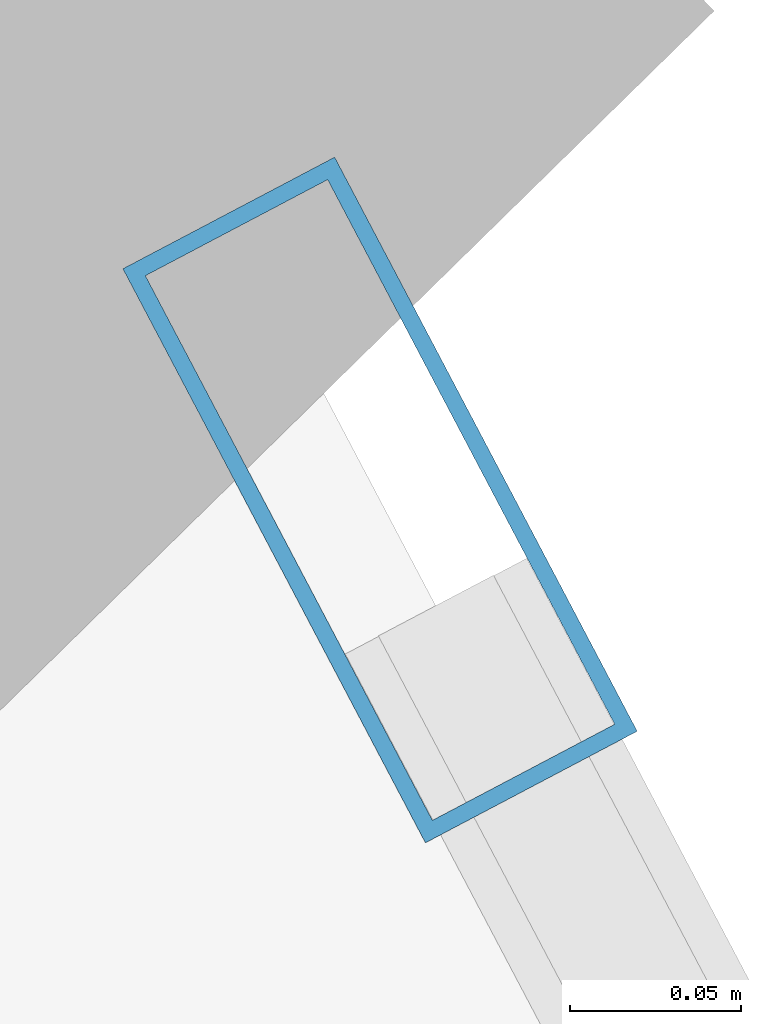
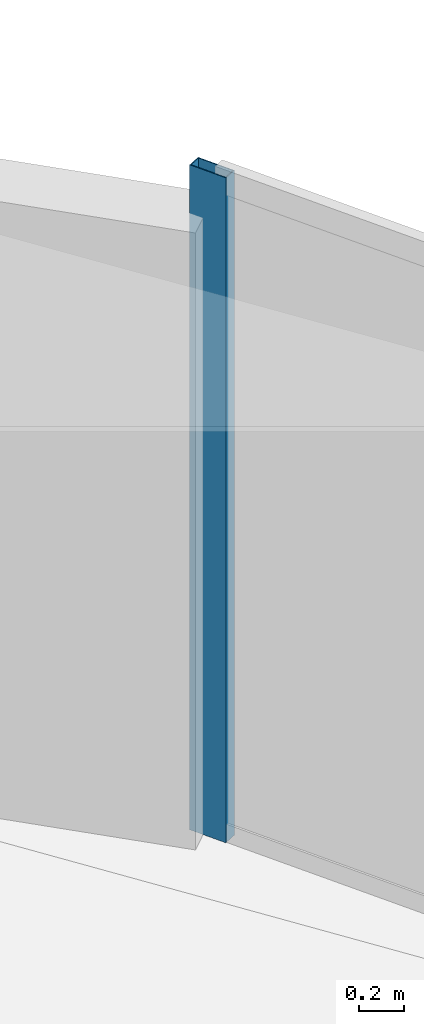
# One storey, part 18 of 24: 1 member, 1 element without a shape of its own.
"""IFC4 building model written with IfcOpenShell, lengths in metres."""

from ifc_helpers import new_model, si_unit, direction, frame, origin, origin_2d, place, context, subcontext, project, spatial, hollow_rectangle, extrude, source, transform, mapped, material, layer, layer_set, material_profile, profile_set, type_object, element, aggregate, save


model = new_model("IFC4")

# Units and contexts
model_context = context("Model", 3, precision=1e-05, world=origin(), true_north=direction((0.0, 1.0)))
body_context = subcontext(model_context, "Body", "Model", "MODEL_VIEW")
ifc_project = project(units=[si_unit("LENGTHUNIT", "METRE"), si_unit("AREAUNIT", "SQUARE_METRE"), si_unit("VOLUMEUNIT", "CUBIC_METRE"), si_unit("PLANEANGLEUNIT", "RADIAN"), si_unit("MASSUNIT", "GRAM", prefix="KILO")], contexts=[model_context])

# Site, building, storey
site_placement = place(None, origin())
site = spatial("IfcSite", under=ifc_project, at=site_placement, CompositionType="ELEMENT")
building_placement = place(site_placement, origin())
building = spatial("IfcBuilding", under=site, at=building_placement, Name="Solvirekh Grand Hotel", CompositionType="ELEMENT")
storey_placement = place(building_placement, frame((0.0, 0.0, 82.39990234375)))
storey = spatial("IfcBuildingStorey", under=building, at=storey_placement, Name="L20", CompositionType="ELEMENT", Elevation=82.39990234375)

# Curtain wall, member
ifc_material = material(Name="Anodized Bronze Aluminium 6063-T6", Category="aluminium")
ifc_layer = layer(ifc_material, 0.18994140625)
ifc_layer_set = layer_set([ifc_layer], Name="Anodized Bronze Aluminium 6063-T6")
curtain_wall_type = type_object("IfcCurtainWallType", Name="CW_Sys2_LowZoneFlushBronzeCW", PredefinedType="NOTDEFINED", material=ifc_layer_set)
curtain_wall_placement = place(storey_placement, origin())
curtain_wall = element("IfcCurtainWall", 1, at=curtain_wall_placement, inside=storey, type_object=curtain_wall_type, Name="L20 unitised bronze-glass curtain wall CW-L20-C03", PredefinedType="NOTDEFINED")
ifc_material_profile = material_profile(ifc_material, hollow_rectangle(XDim=0.070068359375, YDim=0.18994140625, WallThickness=0.0048828125, at=origin_2d()), Name="ALU RHS 190X70X5")
ifc_profile_set = profile_set([ifc_material_profile], Name="Anodized Bronze Aluminium 6063-T6")
member_type = type_object("IfcMemberType", Name="CWMullion_Sys2", PredefinedType="MULLION", material=ifc_profile_set)
shared_shape = source(origin(), body_context, "Body", "SweptSolid", [
    extrude(hollow_rectangle(XDim=0.070068359375, YDim=0.18994140625, WallThickness=0.0048828125, at=origin_2d()), origin(), (0.0, 0.0, 1.0), 3.60009765625),
])
member_placement = place(storey_placement, frame((22.736328125, 10.135986328125, 0.0), z_axis=(0.0, 0.0, 1.0), x_axis=(-0.884670335784, -0.466217113569, 0.0)))
member = element("IfcMember", 2, at=member_placement, type_object=member_type, Name="U02 mullion 3", PredefinedType="MULLION", context=body_context, shape_type="MappedRepresentation", body=[
    mapped(shared_shape, transform((0.0, 0.0, 0.0), x_axis=(1.0, 0.0, 0.0), y_axis=(0.0, 1.0, 0.0), z_axis=(0.0, 0.0, 1.0), scale=1.0)),
])
aggregate(curtain_wall, [member])

save(model, "model.ifc")
